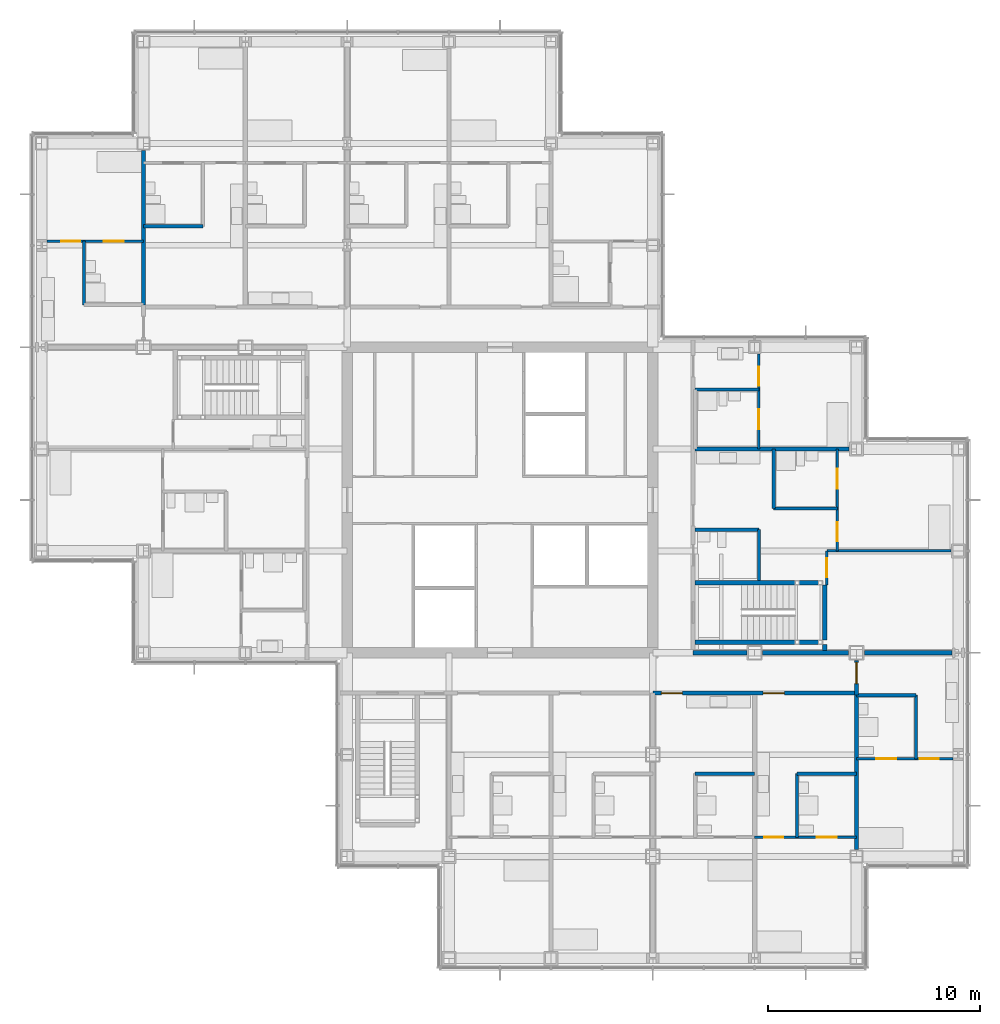
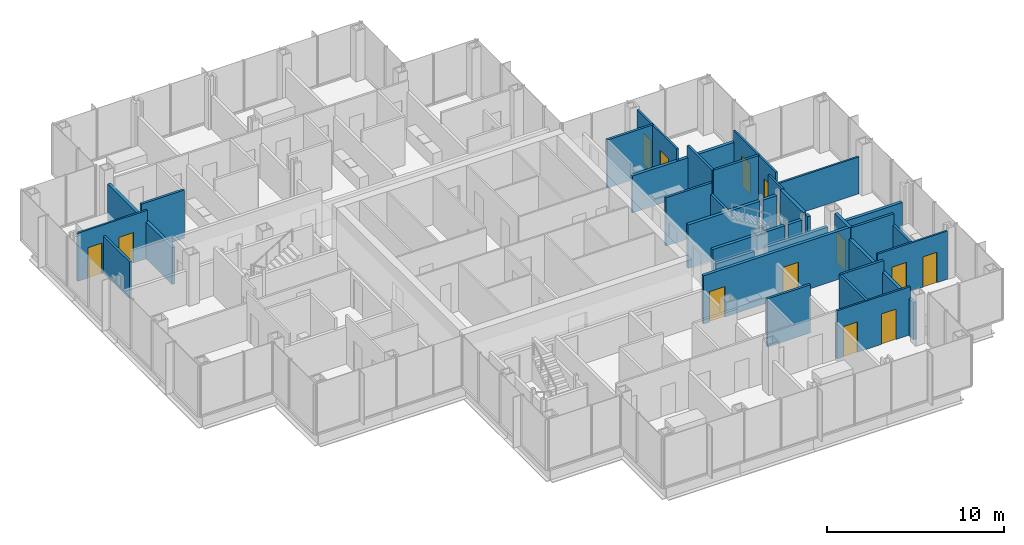
# One storey, part 16 of 20: 33 walls, 14 doors, 14 openings.
"""IFC4 building model written with IfcOpenShell, lengths in metres."""

from ifc_helpers import new_model, si_unit, direction, frame, frame_2d, origin, place, context, subcontext, project, spatial, rectangle, extrude, material, layer, layer_set, type_object, element, fill, save


model = new_model("IFC4")

# Units and contexts
model_context = context("Model", 3, precision=1e-05, world=origin(), true_north=direction((0.0, 1.0)))
body_context = subcontext(model_context, "Body", "Model", "MODEL_VIEW")
ifc_project = project(units=[si_unit("LENGTHUNIT", "METRE"), si_unit("AREAUNIT", "SQUARE_METRE"), si_unit("VOLUMEUNIT", "CUBIC_METRE"), si_unit("PLANEANGLEUNIT", "RADIAN"), si_unit("MASSUNIT", "GRAM", prefix="KILO")], contexts=[model_context])

# Site, building, storey
site_placement = place(None, origin())
site = spatial("IfcSite", under=ifc_project, at=site_placement, CompositionType="ELEMENT")
building_placement = place(site_placement, origin())
building = spatial("IfcBuilding", under=site, at=building_placement, Name="Kvirike Care Tower", CompositionType="ELEMENT")
storey_placement = place(building_placement, frame((0.0, 0.0, 91.0)))
storey = spatial("IfcBuildingStorey", under=building, at=storey_placement, Name="L24", CompositionType="ELEMENT", Elevation=91.0)

# Walls
ifc_material_1 = material(Name="Moisture-resistant board partition", Category="gypsum")
ifc_layer_1 = layer(ifc_material_1, 0.14990234375)
ifc_layer_set_1 = layer_set([ifc_layer_1], Name="BATHROOM WALL 150")
wall_type_1 = type_object("IfcWallType", Name="BATHROOM WALL 150", PredefinedType="PARTITIONING", material=ifc_layer_set_1)
wall_1_placement = place(storey_placement, frame((7.60009765625, 48.89990234375, 0.0), z_axis=(0.0, 0.0, 1.0), x_axis=(-1.0, 0.0, 0.0)))
element("IfcWall", 1, at=wall_1_placement, inside=storey, type_object=wall_type_1, Name="Bathroom Wall 150 L24", PredefinedType="PARTITIONING", context=body_context, shape_type="SweptSolid", body=[
    extrude(rectangle(XDim=2.800048828125, YDim=0.14990234375, at=frame_2d((1.39990234375, 0.0))), origin(), (0.0, 0.0, 1.0), 3.330078125),
])
wall_2_placement = place(storey_placement, frame((2.0, 48.199951171875, 0.0), z_axis=(0.0, 0.0, 1.0), x_axis=(0.0, -1.0, 0.0)))
element("IfcWall", 2, at=wall_2_placement, inside=storey, type_object=wall_type_1, Name="Bathroom Wall 150 L24", PredefinedType="PARTITIONING", context=body_context, shape_type="SweptSolid", body=[
    extrude(rectangle(XDim=3.0, YDim=0.14990234375, at=frame_2d((1.5, 0.0))), origin(), (0.0, 0.0, 1.0), 2.550048828125),
])
wall_3_placement = place(storey_placement, frame((30.800048828125, 23.10009765625, 0.0), z_axis=(0.0, 0.0, 1.0), x_axis=(1.0, 0.0, 0.0)))
element("IfcWall", 3, at=wall_3_placement, inside=storey, type_object=wall_type_1, Name="Bathroom Wall 150 L24", PredefinedType="PARTITIONING", context=body_context, shape_type="SweptSolid", body=[
    extrude(rectangle(XDim=2.800048828125, YDim=0.14990234375, at=frame_2d((1.39990234375, 0.0))), origin(), (0.0, 0.0, 1.0), 3.330078125),
])
wall_4_placement = place(storey_placement, frame((35.60009765625, 20.10009765625, 0.0), z_axis=(0.0, 0.0, 1.0), x_axis=(0.0, 1.0, 0.0)))
element("IfcWall", 4, at=wall_4_placement, inside=storey, type_object=wall_type_1, Name="Bathroom Wall 150 L24", PredefinedType="PARTITIONING", context=body_context, shape_type="SweptSolid", body=[
    extrude(rectangle(XDim=3.0, YDim=0.14990234375, at=frame_2d((1.5, 0.0))), origin(), (0.0, 0.0, 1.0), 3.330078125),
])
wall_5_placement = place(storey_placement, frame((35.60009765625, 23.10009765625, 0.0), z_axis=(0.0, 0.0, 1.0), x_axis=(1.0, 0.0, 0.0)))
element("IfcWall", 5, at=wall_5_placement, inside=storey, type_object=wall_type_1, Name="Bathroom Wall 150 L24", PredefinedType="PARTITIONING", context=body_context, shape_type="SweptSolid", body=[
    extrude(rectangle(XDim=2.7998046875, YDim=0.14990234375, at=frame_2d((1.39990234375, 0.0))), origin(), (0.0, 0.0, 1.0), 3.330078125),
])
wall_6_placement = place(storey_placement, frame((41.199951171875, 23.800048828125, 0.0), z_axis=(0.0, 0.0, 1.0), x_axis=(0.0, 1.0, 0.0)))
element("IfcWall", 6, at=wall_6_placement, inside=storey, type_object=wall_type_1, Name="Bathroom Wall 150 L24", PredefinedType="PARTITIONING", context=body_context, shape_type="SweptSolid", body=[
    extrude(rectangle(XDim=3.0, YDim=0.14990234375, at=frame_2d((1.5, 0.0))), origin(), (0.0, 0.0, 1.0), 2.550048828125),
])
wall_7_placement = place(storey_placement, frame((38.39990234375, 26.800048828125, 0.0), z_axis=(0.0, 0.0, 1.0), x_axis=(1.0, 0.0, 0.0)))
element("IfcWall", 7, at=wall_7_placement, inside=storey, type_object=wall_type_1, Name="Bathroom Wall 150 L24", PredefinedType="PARTITIONING", context=body_context, shape_type="SweptSolid", body=[
    extrude(rectangle(XDim=2.800048828125, YDim=0.14990234375, at=frame_2d((1.39990234375, 0.0))), origin(), (0.0, 0.0, 1.0), 3.330078125),
])
wall_8_placement = place(storey_placement, frame((33.800048828125, 32.199951171875, 0.0), z_axis=(0.0, 0.0, 1.0), x_axis=(0.0, 1.0, 0.0)))
element("IfcWall", 8, at=wall_8_placement, inside=storey, type_object=wall_type_1, Name="Bathroom Wall 150 L24", PredefinedType="PARTITIONING", context=body_context, shape_type="SweptSolid", body=[
    extrude(rectangle(XDim=2.400146484375, YDim=0.14990234375, at=frame_2d((1.2001953125, 0.0))), origin(), (0.0, 0.0, 1.0), 2.550048828125),
])
for number, where, z_axis, x_axis, name in (
    (9, (33.800048828125, 34.60009765625, 0.0), (0.0, 0.0, 1.0), (-1.0, 0.0, 0.0), "Bathroom Wall 150 L24"),
    (10, (37.5, 35.60009765625, 0.0), (0.0, 0.0, 1.0), (-1.0, 0.0, 0.0), "Bathroom Wall 150 L24"),
):
    element("IfcWall", number, at=place(storey_placement, frame(where, z_axis=z_axis, x_axis=x_axis)), inside=storey, type_object=wall_type_1, Name=name, PredefinedType="PARTITIONING", context=body_context, shape_type="SweptSolid", body=[
        extrude(rectangle(XDim=3.0, YDim=0.14990234375, at=frame_2d((1.5, 0.0))), origin(), (0.0, 0.0, 1.0), 3.330078125),
    ])
wall_9_placement = place(storey_placement, frame((34.5, 35.60009765625, 0.0), z_axis=(0.0, 0.0, 1.0), x_axis=(0.0, 1.0, 0.0)))
element("IfcWall", 11, at=wall_9_placement, inside=storey, type_object=wall_type_1, Name="Bathroom Wall 150 L24", PredefinedType="PARTITIONING", context=body_context, shape_type="SweptSolid", body=[
    extrude(rectangle(XDim=2.7998046875, YDim=0.14990234375, at=frame_2d((1.39990234375, 0.0))), origin(), (0.0, 0.0, 1.0), 3.330078125),
])
wall_10_placement = place(storey_placement, frame((33.800048828125, 41.199951171875, 0.0), z_axis=(0.0, 0.0, 1.0), x_axis=(-1.0, 0.0, 0.0)))
element("IfcWall", 12, at=wall_10_placement, inside=storey, type_object=wall_type_1, Name="Bathroom Wall 150 L24", PredefinedType="PARTITIONING", context=body_context, shape_type="SweptSolid", body=[
    extrude(rectangle(XDim=3.0, YDim=0.14990234375, at=frame_2d((1.5, 0.0))), origin(), (0.0, 0.0, 1.0), 3.330078125),
])

# Wall, openings, doors
ifc_material_2 = material(Name="Plasterboard corridor wall", Category="gypsum")
ifc_layer_2 = layer(ifc_material_2, 0.199951171875)
ifc_layer_set_2 = layer_set([ifc_layer_2], Name="CORRIDOR WALL 200")
wall_type_2 = type_object("IfcWallType", Name="CORRIDOR WALL 200", PredefinedType="PARTITIONING", material=ifc_layer_set_2)
wall_11_placement = place(storey_placement, frame((28.800048828125, 26.89990234375, 0.0), z_axis=(0.0, 0.0, 1.0), x_axis=(1.0, 0.0, 0.0)))
wall_11 = element("IfcWall", 13, at=wall_11_placement, inside=storey, type_object=wall_type_2, Name="Corridor Wall 200 L24", PredefinedType="PARTITIONING", context=body_context, shape_type="SweptSolid", body=[
    extrude(rectangle(XDim=9.599853515625, YDim=0.199951171875, at=frame_2d((4.7998046875, 0.0))), origin(), (0.0, 0.0, 1.0), 3.330078125),
])
opening_1_placement = place(wall_11_placement, frame((0.39990234375, 0.0, 0.0)))
opening_1 = element("IfcOpeningElement", 14, at=opening_1_placement, cuts=wall_11, Name="Opening 24-042", PredefinedType="OPENING", context=body_context, shape_type="SweptSolid", body=[
    extrude(rectangle(XDim=1.0, YDim=2.10009765625, at=frame_2d((0.5, 1.050048828125))), frame((0.0, 0.110595703125, 0.0), z_axis=(0.0, -1.0, 0.0), x_axis=(1.0, 0.0, 0.0)), (0.0, 0.0, 1.0), 0.220947265625),
])
opening_2_placement = place(wall_11_placement, frame((5.199951171875, 0.0, 0.0)))
opening_2 = element("IfcOpeningElement", 15, at=opening_2_placement, cuts=wall_11, Name="Opening 24-043", PredefinedType="OPENING", context=body_context, shape_type="SweptSolid", body=[
    extrude(rectangle(XDim=1.0, YDim=2.10009765625, at=frame_2d((0.5, 1.050048828125))), frame((0.0, 0.110595703125, 0.0), z_axis=(0.0, -1.0, 0.0), x_axis=(1.0, 0.0, 0.0)), (0.0, 0.0, 1.0), 0.220947265625),
])
ifc_material_3 = material(Name="Timber door set", Category="wood")
door_type_1 = type_object("IfcDoorType", Name="FLAT ENTRANCE DOOR 1000", OperationType="SINGLE_SWING_LEFT", PredefinedType="DOOR", material=ifc_material_3)
door_1_placement = place(opening_1_placement, frame((1.0, 0.0, 0.0), z_axis=(0.0, 0.0, 1.0), x_axis=(-1.0, 0.0, 0.0)))
door_1 = element("IfcDoor", 16, at=door_1_placement, inside=storey, type_object=door_type_1, Name="Assisted living suite entrance", OperationType="SINGLE_SWING_RIGHT", OverallHeight=2.10009765625, OverallWidth=1.0, PredefinedType="DOOR", context=body_context, shape_type="SweptSolid", body=[
    extrude(rectangle(XDim=1.0, YDim=2.10009765625, at=frame_2d((0.5, 1.050048828125))), frame((0.0, 0.02685546875, 0.0), z_axis=(0.0, -1.0, 0.0), x_axis=(1.0, 0.0, 0.0)), (0.0, 0.0, 1.0), 0.053955078125),
])
fill(opening_1, door_1)
door_2_placement = place(opening_2_placement, frame((1.0, 0.0, 0.0), z_axis=(0.0, 0.0, 1.0), x_axis=(-1.0, 0.0, 0.0)))
door_2 = element("IfcDoor", 17, at=door_2_placement, inside=storey, type_object=door_type_1, Name="Assisted living suite entrance", OperationType="SINGLE_SWING_LEFT", OverallHeight=2.10009765625, OverallWidth=1.0, PredefinedType="DOOR", context=body_context, shape_type="SweptSolid", body=[
    extrude(rectangle(XDim=1.0, YDim=2.10009765625, at=frame_2d((0.5, 1.050048828125))), frame((0.0, 0.02685546875, 0.0), z_axis=(0.0, -1.0, 0.0), x_axis=(1.0, 0.0, 0.0)), (0.0, 0.0, 1.0), 0.053955078125),
])
fill(opening_2, door_2)

# Wall, opening, door
wall_12_placement = place(storey_placement, frame((38.39990234375, 26.800048828125, 0.0), z_axis=(0.0, 0.0, 1.0), x_axis=(0.0, 1.0, 0.0)))
wall_12 = element("IfcWall", 18, at=wall_12_placement, inside=storey, type_object=wall_type_2, Name="Corridor Wall 200 L24", PredefinedType="PARTITIONING", context=body_context, shape_type="SweptSolid", body=[
    extrude(rectangle(XDim=1.6298828125, YDim=0.199951171875, at=frame_2d((0.81494140625, 0.0))), origin(), (0.0, 0.0, 1.0), 3.330078125),
])
opening_3_placement = place(wall_12_placement, frame((0.550048828125, 0.0, 0.0)))
opening_3 = element("IfcOpeningElement", 19, at=opening_3_placement, cuts=wall_12, Name="Opening 24-044", PredefinedType="OPENING", context=body_context, shape_type="SweptSolid", body=[
    extrude(rectangle(XDim=1.0, YDim=2.10009765625, at=frame_2d((0.5, 1.050048828125))), frame((0.0, 0.110595703125, 0.0), z_axis=(0.0, -1.0, 0.0), x_axis=(1.0, 0.0, 0.0)), (0.0, 0.0, 1.0), 0.220947265625),
])
door_3_placement = place(opening_3_placement, frame((1.0, 0.0, 0.0), z_axis=(0.0, 0.0, 1.0), x_axis=(-1.0, 0.0, 0.0)))
door_3 = element("IfcDoor", 20, at=door_3_placement, inside=storey, type_object=door_type_1, Name="Assisted living suite entrance", OperationType="SINGLE_SWING_RIGHT", OverallHeight=2.10009765625, OverallWidth=1.0, PredefinedType="DOOR", context=body_context, shape_type="SweptSolid", body=[
    extrude(rectangle(XDim=1.0, YDim=2.10009765625, at=frame_2d((0.5, 1.050048828125))), frame((0.0, 0.02685546875, 0.0), z_axis=(0.0, -1.0, 0.0), x_axis=(1.0, 0.0, 0.0)), (0.0, 0.0, 1.0), 0.053955078125),
])
fill(opening_3, door_3)

# Wall, openings, doors
ifc_material_4 = material(Name="Plasterboard partition", Category="gypsum")
ifc_layer_3 = layer(ifc_material_4, 0.1201171875)
ifc_layer_set_3 = layer_set([ifc_layer_3], Name="PARTITION 120")
wall_type_3 = type_object("IfcWallType", Name="PARTITION 120", PredefinedType="PARTITIONING", material=ifc_layer_set_3)
wall_13_placement = place(storey_placement, frame((4.800048828125, 48.199951171875, 0.0), z_axis=(0.0, 0.0, 1.0), x_axis=(-1.0, 0.0, 0.0)))
wall_13 = element("IfcWall", 21, at=wall_13_placement, inside=storey, type_object=wall_type_3, Name="Partition 120 L24", PredefinedType="PARTITIONING", context=body_context, shape_type="SweptSolid", body=[
    extrude(rectangle(XDim=4.552978515625, YDim=0.1201171875, at=frame_2d((2.2763671875, 0.0))), origin(), (0.0, 0.0, 1.0), 3.330078125),
])
opening_4_placement = place(wall_13_placement, frame((2.97509765625, 0.0, 0.0)))
opening_4 = element("IfcOpeningElement", 22, at=opening_4_placement, cuts=wall_13, Name="Opening 24-014", PredefinedType="OPENING", context=body_context, shape_type="SweptSolid", body=[
    extrude(rectangle(XDim=0.89990234375, YDim=2.10009765625, at=frame_2d((0.449951171875, 1.050048828125))), frame((0.0, 0.070556640625, 0.0), z_axis=(0.0, -1.0, 0.0), x_axis=(1.0, 0.0, 0.0)), (0.0, 0.0, 1.0), 0.14111328125),
])
opening_5_placement = place(wall_13_placement, frame((0.925048828125, 0.0, 0.0)))
opening_5 = element("IfcOpeningElement", 23, at=opening_5_placement, cuts=wall_13, Name="Opening 24-015", PredefinedType="OPENING", context=body_context, shape_type="SweptSolid", body=[
    extrude(rectangle(XDim=0.949951171875, YDim=2.10009765625, at=frame_2d((0.47509765625, 1.050048828125))), frame((0.0, 0.070556640625, 0.0), z_axis=(0.0, -1.0, 0.0), x_axis=(1.0, 0.0, 0.0)), (0.0, 0.0, 1.0), 0.14111328125),
])
ifc_material_5 = material(Name="Timber door set", Category="wood")
door_type_2 = type_object("IfcDoorType", Name="EN-SUITE SLIDING DOOR 950", OperationType="SLIDING_TO_LEFT", PredefinedType="DOOR", material=ifc_material_5)
door_4_placement = place(opening_5_placement, origin())
door_4 = element("IfcDoor", 24, at=door_4_placement, inside=storey, type_object=door_type_2, Name="En-suite door", OperationType="SLIDING_TO_LEFT", OverallHeight=2.10009765625, OverallWidth=0.949951171875, PredefinedType="DOOR", context=body_context, shape_type="SweptSolid", body=[
    extrude(rectangle(XDim=0.949951171875, YDim=2.10009765625, at=frame_2d((0.47509765625, 1.050048828125))), frame((0.0, 0.02197265625, 0.0), z_axis=(0.0, -1.0, 0.0), x_axis=(1.0, 0.0, 0.0)), (0.0, 0.0, 1.0), 0.0439453125),
])
fill(opening_5, door_4)
ifc_material_6 = material(Name="Timber door set", Category="wood")
door_type_3 = type_object("IfcDoorType", Name="INTERNAL DOOR 900", OperationType="SINGLE_SWING_LEFT", PredefinedType="DOOR", material=ifc_material_6)
door_5_placement = place(opening_4_placement, origin())
door_5 = element("IfcDoor", 25, at=door_5_placement, inside=storey, type_object=door_type_3, Name="Assisted living suite door", OperationType="SINGLE_SWING_RIGHT", OverallHeight=2.10009765625, OverallWidth=0.89990234375, PredefinedType="DOOR", context=body_context, shape_type="SweptSolid", body=[
    extrude(rectangle(XDim=0.89990234375, YDim=2.10009765625, at=frame_2d((0.449951171875, 1.050048828125))), frame((0.0, 0.02197265625, 0.0), z_axis=(0.0, -1.0, 0.0), x_axis=(1.0, 0.0, 0.0)), (0.0, 0.0, 1.0), 0.0439453125),
])
fill(opening_4, door_5)

wall_14_placement = place(storey_placement, frame((33.60009765625, 20.10009765625, 0.0), z_axis=(0.0, 0.0, 1.0), x_axis=(1.0, 0.0, 0.0)))
wall_14 = element("IfcWall", 26, at=wall_14_placement, inside=storey, type_object=wall_type_3, Name="Partition 120 L24", PredefinedType="PARTITIONING", context=body_context, shape_type="SweptSolid", body=[
    extrude(rectangle(XDim=4.7998046875, YDim=0.1201171875, at=frame_2d((2.39990234375, 0.0))), origin(), (0.0, 0.0, 1.0), 3.330078125),
])
opening_6_placement = place(wall_14_placement, frame((0.449951171875, 0.0, 0.0)))
opening_6 = element("IfcOpeningElement", 27, at=opening_6_placement, cuts=wall_14, Name="Opening 24-038", PredefinedType="OPENING", context=body_context, shape_type="SweptSolid", body=[
    extrude(rectangle(XDim=0.89990234375, YDim=2.10009765625, at=frame_2d((0.449951171875, 1.050048828125))), frame((0.0, 0.070556640625, 0.0), z_axis=(0.0, -1.0, 0.0), x_axis=(1.0, 0.0, 0.0)), (0.0, 0.0, 1.0), 0.14111328125),
])
opening_7_placement = place(wall_14_placement, frame((2.925048828125, 0.0, 0.0)))
opening_7 = element("IfcOpeningElement", 28, at=opening_7_placement, cuts=wall_14, Name="Opening 24-039", PredefinedType="OPENING", context=body_context, shape_type="SweptSolid", body=[
    extrude(rectangle(XDim=0.949951171875, YDim=2.10009765625, at=frame_2d((0.47509765625, 1.050048828125))), frame((0.0, 0.070556640625, 0.0), z_axis=(0.0, -1.0, 0.0), x_axis=(1.0, 0.0, 0.0)), (0.0, 0.0, 1.0), 0.14111328125),
])
door_6_placement = place(opening_7_placement, origin())
door_6 = element("IfcDoor", 29, at=door_6_placement, inside=storey, type_object=door_type_2, Name="En-suite door", OperationType="SLIDING_TO_LEFT", OverallHeight=2.10009765625, OverallWidth=0.949951171875, PredefinedType="DOOR", context=body_context, shape_type="SweptSolid", body=[
    extrude(rectangle(XDim=0.949951171875, YDim=2.10009765625, at=frame_2d((0.47509765625, 1.050048828125))), frame((0.0, 0.02197265625, 0.0), z_axis=(0.0, -1.0, 0.0), x_axis=(1.0, 0.0, 0.0)), (0.0, 0.0, 1.0), 0.0439453125),
])
fill(opening_7, door_6)
door_7_placement = place(opening_6_placement, origin())
door_7 = element("IfcDoor", 30, at=door_7_placement, inside=storey, type_object=door_type_3, Name="Assisted living suite door", OperationType="SINGLE_SWING_RIGHT", OverallHeight=2.10009765625, OverallWidth=0.89990234375, PredefinedType="DOOR", context=body_context, shape_type="SweptSolid", body=[
    extrude(rectangle(XDim=0.89990234375, YDim=2.10009765625, at=frame_2d((0.449951171875, 1.050048828125))), frame((0.0, 0.02197265625, 0.0), z_axis=(0.0, -1.0, 0.0), x_axis=(1.0, 0.0, 0.0)), (0.0, 0.0, 1.0), 0.0439453125),
])
fill(opening_6, door_7)

wall_15_placement = place(storey_placement, frame((38.39990234375, 23.800048828125, 0.0), z_axis=(0.0, 0.0, 1.0), x_axis=(1.0, 0.0, 0.0)))
wall_15 = element("IfcWall", 31, at=wall_15_placement, inside=storey, type_object=wall_type_3, Name="Partition 120 L24", PredefinedType="PARTITIONING", context=body_context, shape_type="SweptSolid", body=[
    extrude(rectangle(XDim=4.552978515625, YDim=0.1201171875, at=frame_2d((2.2763671875, 0.0))), origin(), (0.0, 0.0, 1.0), 3.330078125),
])
opening_8_placement = place(wall_15_placement, frame((2.97509765625, 0.0, 0.0)))
opening_8 = element("IfcOpeningElement", 32, at=opening_8_placement, cuts=wall_15, Name="Opening 24-040", PredefinedType="OPENING", context=body_context, shape_type="SweptSolid", body=[
    extrude(rectangle(XDim=0.89990234375, YDim=2.10009765625, at=frame_2d((0.449951171875, 1.050048828125))), frame((0.0, 0.070556640625, 0.0), z_axis=(0.0, -1.0, 0.0), x_axis=(1.0, 0.0, 0.0)), (0.0, 0.0, 1.0), 0.14111328125),
])
opening_9_placement = place(wall_15_placement, frame((0.925048828125, 0.0, 0.0)))
opening_9 = element("IfcOpeningElement", 33, at=opening_9_placement, cuts=wall_15, Name="Opening 24-041", PredefinedType="OPENING", context=body_context, shape_type="SweptSolid", body=[
    extrude(rectangle(XDim=0.949951171875, YDim=2.10009765625, at=frame_2d((0.47509765625, 1.050048828125))), frame((0.0, 0.070556640625, 0.0), z_axis=(0.0, -1.0, 0.0), x_axis=(1.0, 0.0, 0.0)), (0.0, 0.0, 1.0), 0.14111328125),
])
door_8_placement = place(opening_9_placement, origin())
door_8 = element("IfcDoor", 34, at=door_8_placement, inside=storey, type_object=door_type_2, Name="En-suite door", OperationType="SLIDING_TO_LEFT", OverallHeight=2.10009765625, OverallWidth=0.949951171875, PredefinedType="DOOR", context=body_context, shape_type="SweptSolid", body=[
    extrude(rectangle(XDim=0.949951171875, YDim=2.10009765625, at=frame_2d((0.47509765625, 1.050048828125))), frame((0.0, 0.02197265625, 0.0), z_axis=(0.0, -1.0, 0.0), x_axis=(1.0, 0.0, 0.0)), (0.0, 0.0, 1.0), 0.0439453125),
])
fill(opening_9, door_8)
door_9_placement = place(opening_8_placement, origin())
door_9 = element("IfcDoor", 35, at=door_9_placement, inside=storey, type_object=door_type_3, Name="Assisted living suite door", OperationType="SINGLE_SWING_RIGHT", OverallHeight=2.10009765625, OverallWidth=0.89990234375, PredefinedType="DOOR", context=body_context, shape_type="SweptSolid", body=[
    extrude(rectangle(XDim=0.89990234375, YDim=2.10009765625, at=frame_2d((0.449951171875, 1.050048828125))), frame((0.0, 0.02197265625, 0.0), z_axis=(0.0, -1.0, 0.0), x_axis=(1.0, 0.0, 0.0)), (0.0, 0.0, 1.0), 0.0439453125),
])
fill(opening_8, door_9)

# Wall, opening, door
wall_16_placement = place(storey_placement, frame((37.0, 32.0, 0.0), z_axis=(0.0, 0.0, 1.0), x_axis=(0.0, 1.0, 0.0)))
wall_16 = element("IfcWall", 36, at=wall_16_placement, inside=storey, type_object=wall_type_3, Name="Partition 120 L24", PredefinedType="PARTITIONING", context=body_context, shape_type="SweptSolid", body=[
    extrude(rectangle(XDim=1.60009765625, YDim=0.1201171875, at=frame_2d((0.800048828125, 0.0))), origin(), (0.0, 0.0, 1.0), 3.330078125),
])
opening_10_placement = place(wall_16_placement, frame((0.35009765625, 0.0, 0.0)))
opening_10 = element("IfcOpeningElement", 37, at=opening_10_placement, cuts=wall_16, Name="Opening 24-045", PredefinedType="OPENING", context=body_context, shape_type="SweptSolid", body=[
    extrude(rectangle(XDim=0.89990234375, YDim=2.10009765625, at=frame_2d((0.449951171875, 1.050048828125))), frame((0.0, 0.070556640625, 0.0), z_axis=(0.0, -1.0, 0.0), x_axis=(1.0, 0.0, 0.0)), (0.0, 0.0, 1.0), 0.14111328125),
])
door_10_placement = place(opening_10_placement, origin())
door_10 = element("IfcDoor", 38, at=door_10_placement, inside=storey, type_object=door_type_3, Name="Suite sitting room door", OperationType="SINGLE_SWING_RIGHT", OverallHeight=2.10009765625, OverallWidth=0.89990234375, PredefinedType="DOOR", context=body_context, shape_type="SweptSolid", body=[
    extrude(rectangle(XDim=0.89990234375, YDim=2.10009765625, at=frame_2d((0.449951171875, 1.050048828125))), frame((0.0, 0.02197265625, 0.0), z_axis=(0.0, -1.0, 0.0), x_axis=(1.0, 0.0, 0.0)), (0.0, 0.0, 1.0), 0.0439453125),
])
fill(opening_10, door_10)

# Wall, openings, doors
wall_17_placement = place(storey_placement, frame((37.5, 33.60009765625, 0.0), z_axis=(0.0, 0.0, 1.0), x_axis=(0.0, 1.0, 0.0)))
wall_17 = element("IfcWall", 39, at=wall_17_placement, inside=storey, type_object=wall_type_3, Name="Partition 120 L24", PredefinedType="PARTITIONING", context=body_context, shape_type="SweptSolid", body=[
    extrude(rectangle(XDim=4.7998046875, YDim=0.1201171875, at=frame_2d((2.39990234375, 0.0))), origin(), (0.0, 0.0, 1.0), 3.330078125),
])
opening_11_placement = place(wall_17_placement, frame((0.449951171875, 0.0, 0.0)))
opening_11 = element("IfcOpeningElement", 40, at=opening_11_placement, cuts=wall_17, Name="Opening 24-046", PredefinedType="OPENING", context=body_context, shape_type="SweptSolid", body=[
    extrude(rectangle(XDim=0.89990234375, YDim=2.10009765625, at=frame_2d((0.449951171875, 1.050048828125))), frame((0.0, 0.070556640625, 0.0), z_axis=(0.0, -1.0, 0.0), x_axis=(1.0, 0.0, 0.0)), (0.0, 0.0, 1.0), 0.14111328125),
])
opening_12_placement = place(wall_17_placement, frame((2.925048828125, 0.0, 0.0)))
opening_12 = element("IfcOpeningElement", 41, at=opening_12_placement, cuts=wall_17, Name="Opening 24-047", PredefinedType="OPENING", context=body_context, shape_type="SweptSolid", body=[
    extrude(rectangle(XDim=0.949951171875, YDim=2.10009765625, at=frame_2d((0.47509765625, 1.050048828125))), frame((0.0, 0.070556640625, 0.0), z_axis=(0.0, -1.0, 0.0), x_axis=(1.0, 0.0, 0.0)), (0.0, 0.0, 1.0), 0.14111328125),
])
door_11_placement = place(opening_12_placement, origin())
door_11 = element("IfcDoor", 42, at=door_11_placement, inside=storey, type_object=door_type_2, Name="En-suite door", OperationType="SLIDING_TO_RIGHT", OverallHeight=2.10009765625, OverallWidth=0.949951171875, PredefinedType="DOOR", context=body_context, shape_type="SweptSolid", body=[
    extrude(rectangle(XDim=0.949951171875, YDim=2.10009765625, at=frame_2d((0.47509765625, 1.050048828125))), frame((0.0, 0.02197265625, 0.0), z_axis=(0.0, -1.0, 0.0), x_axis=(1.0, 0.0, 0.0)), (0.0, 0.0, 1.0), 0.0439453125),
])
fill(opening_12, door_11)
door_12_placement = place(opening_11_placement, origin())
door_12 = element("IfcDoor", 43, at=door_12_placement, inside=storey, type_object=door_type_3, Name="Assisted living suite door", OperationType="SINGLE_SWING_LEFT", OverallHeight=2.10009765625, OverallWidth=0.89990234375, PredefinedType="DOOR", context=body_context, shape_type="SweptSolid", body=[
    extrude(rectangle(XDim=0.89990234375, YDim=2.10009765625, at=frame_2d((0.449951171875, 1.050048828125))), frame((0.0, 0.02197265625, 0.0), z_axis=(0.0, -1.0, 0.0), x_axis=(1.0, 0.0, 0.0)), (0.0, 0.0, 1.0), 0.0439453125),
])
fill(opening_11, door_12)

# Wall
wall_18_placement = place(storey_placement, frame((42.85498046875, 33.60009765625, 0.0), z_axis=(0.0, 0.0, 1.0), x_axis=(-1.0, 0.0, 0.0)))
element("IfcWall", 44, at=wall_18_placement, inside=storey, type_object=wall_type_3, Name="Partition 120 L24", PredefinedType="PARTITIONING", context=body_context, shape_type="SweptSolid", body=[
    extrude(rectangle(XDim=5.85498046875, YDim=0.1201171875, at=frame_2d((2.927490234375, 0.0))), origin(), (0.0, 0.0, 1.0), 2.550048828125),
])

# Wall, openings, doors
wall_19_placement = place(storey_placement, frame((33.800048828125, 38.39990234375, 0.0), z_axis=(0.0, 0.0, 1.0), x_axis=(0.0, 1.0, 0.0)))
wall_19 = element("IfcWall", 45, at=wall_19_placement, inside=storey, type_object=wall_type_3, Name="Partition 120 L24", PredefinedType="PARTITIONING", context=body_context, shape_type="SweptSolid", body=[
    extrude(rectangle(XDim=4.47998046875, YDim=0.1201171875, at=frame_2d((2.239990234375, 0.0))), origin(), (0.0, 0.0, 1.0), 3.330078125),
])
opening_13_placement = place(wall_19_placement, frame((2.97509765625, 0.0, 0.0)))
opening_13 = element("IfcOpeningElement", 46, at=opening_13_placement, cuts=wall_19, Name="Opening 24-048", PredefinedType="OPENING", context=body_context, shape_type="SweptSolid", body=[
    extrude(rectangle(XDim=0.89990234375, YDim=2.10009765625, at=frame_2d((0.449951171875, 1.050048828125))), frame((0.0, 0.070556640625, 0.0), z_axis=(0.0, -1.0, 0.0), x_axis=(1.0, 0.0, 0.0)), (0.0, 0.0, 1.0), 0.14111328125),
])
opening_14_placement = place(wall_19_placement, frame((0.925048828125, 0.0, 0.0)))
opening_14 = element("IfcOpeningElement", 47, at=opening_14_placement, cuts=wall_19, Name="Opening 24-049", PredefinedType="OPENING", context=body_context, shape_type="SweptSolid", body=[
    extrude(rectangle(XDim=0.949951171875, YDim=2.10009765625, at=frame_2d((0.47509765625, 1.050048828125))), frame((0.0, 0.070556640625, 0.0), z_axis=(0.0, -1.0, 0.0), x_axis=(1.0, 0.0, 0.0)), (0.0, 0.0, 1.0), 0.14111328125),
])
door_13_placement = place(opening_14_placement, origin())
door_13 = element("IfcDoor", 48, at=door_13_placement, inside=storey, type_object=door_type_2, Name="En-suite door", OperationType="SLIDING_TO_LEFT", OverallHeight=2.10009765625, OverallWidth=0.949951171875, PredefinedType="DOOR", context=body_context, shape_type="SweptSolid", body=[
    extrude(rectangle(XDim=0.949951171875, YDim=2.10009765625, at=frame_2d((0.47509765625, 1.050048828125))), frame((0.0, 0.02197265625, 0.0), z_axis=(0.0, -1.0, 0.0), x_axis=(1.0, 0.0, 0.0)), (0.0, 0.0, 1.0), 0.0439453125),
])
fill(opening_14, door_13)
door_14_placement = place(opening_13_placement, origin())
door_14 = element("IfcDoor", 49, at=door_14_placement, inside=storey, type_object=door_type_3, Name="Assisted living suite door", OperationType="SINGLE_SWING_RIGHT", OverallHeight=2.10009765625, OverallWidth=0.89990234375, PredefinedType="DOOR", context=body_context, shape_type="SweptSolid", body=[
    extrude(rectangle(XDim=0.89990234375, YDim=2.10009765625, at=frame_2d((0.449951171875, 1.050048828125))), frame((0.0, 0.02197265625, 0.0), z_axis=(0.0, -1.0, 0.0), x_axis=(1.0, 0.0, 0.0)), (0.0, 0.0, 1.0), 0.0439453125),
])
fill(opening_13, door_14)

# Walls
ifc_material_7 = material(Name="Plasterboard party wall", Category="gypsum")
ifc_layer_4 = layer(ifc_material_7, 0.199951171875)
ifc_layer_set_4 = layer_set([ifc_layer_4], Name="PARTY WALL 200")
wall_type_4 = type_object("IfcWallType", Name="PARTY WALL 200", PredefinedType="PARTITIONING", material=ifc_layer_set_4)
for number, where, z_axis, x_axis, name in (
    (50, (4.800048828125, 52.47998046875, 0.0), (0.0, 0.0, 1.0), (0.0, -1.0, 0.0), "Party Wall 200 L24"),
    (51, (38.39990234375, 19.52001953125, 0.0), (0.0, 0.0, 1.0), (0.0, 1.0, 0.0), "Party Wall 200 L24"),
):
    element("IfcWall", number, at=place(storey_placement, frame(where, z_axis=z_axis, x_axis=x_axis)), inside=storey, type_object=wall_type_4, Name=name, PredefinedType="PARTITIONING", context=body_context, shape_type="SweptSolid", body=[
        extrude(rectangle(XDim=7.280029296875, YDim=0.199951171875, at=frame_2d((3.64013671875, 0.0))), origin(), (0.0, 0.0, 1.0), 2.550048828125),
    ])
wall_20_placement = place(storey_placement, frame((38.054931640625, 38.39990234375, 0.0), z_axis=(0.0, 0.0, 1.0), x_axis=(-1.0, 0.0, 0.0)))
element("IfcWall", 52, at=wall_20_placement, inside=storey, type_object=wall_type_4, Name="Party Wall 200 L24", PredefinedType="PARTITIONING", context=body_context, shape_type="SweptSolid", body=[
    extrude(rectangle(XDim=7.2548828125, YDim=0.199951171875, at=frame_2d((3.62744140625, 0.0))), origin(), (0.0, 0.0, 1.0), 2.550048828125),
])
wall_21_placement = place(storey_placement, frame((42.8955078125, 28.800048828125, 0.0), z_axis=(0.0, 0.0, 1.0), x_axis=(-1.0, 0.0, 0.0)))
element("IfcWall", 53, at=wall_21_placement, inside=storey, type_object=wall_type_4, Name="Party Wall 200 L24", PredefinedType="PARTITIONING", context=body_context, shape_type="SweptSolid", body=[
    extrude(rectangle(XDim=4.12548828125, YDim=0.199951171875, at=frame_2d((2.062744140625, 0.0))), origin(), (0.0, 0.0, 1.0), 2.320068359375),
])
wall_22_placement = place(storey_placement, frame((38.030029296875, 28.800048828125, 0.0), z_axis=(0.0, 0.0, 1.0), x_axis=(-1.0, 0.0, 0.0)))
element("IfcWall", 54, at=wall_22_placement, inside=storey, type_object=wall_type_4, Name="Party Wall 200 L24", PredefinedType="PARTITIONING", context=body_context, shape_type="SweptSolid", body=[
    extrude(rectangle(XDim=4.06005859375, YDim=0.199951171875, at=frame_2d((2.030029296875, 0.0))), origin(), (0.0, 0.0, 1.0), 2.320068359375),
])
wall_23_placement = place(storey_placement, frame((33.22998046875, 28.800048828125, 0.0), z_axis=(0.0, 0.0, 1.0), x_axis=(-1.0, 0.0, 0.0)))
element("IfcWall", 55, at=wall_23_placement, inside=storey, type_object=wall_type_4, Name="Party Wall 200 L24", PredefinedType="PARTITIONING", context=body_context, shape_type="SweptSolid", body=[
    extrude(rectangle(XDim=2.530029296875, YDim=0.199951171875, at=frame_2d((1.26513671875, 0.0))), origin(), (0.0, 0.0, 1.0), 2.320068359375),
])
ifc_material_8 = material(Name="Concrete C40/50", Category="concrete")
ifc_layer_5 = layer(ifc_material_8, 0.199951171875)
ifc_layer_set_5 = layer_set([ifc_layer_5], Name="STAIR WALL 200")
wall_type_5 = type_object("IfcWallType", Name="STAIR WALL 200", PredefinedType="SOLIDWALL", material=ifc_layer_set_5)
wall_24_placement = place(storey_placement, frame((36.60009765625, 29.300048828125, 0.0), z_axis=(0.0, 0.0, 1.0), x_axis=(-1.0, 0.0, 0.0)))
element("IfcWall", 56, at=wall_24_placement, inside=storey, type_object=wall_type_5, Name="Stair Wall 200 L24", PredefinedType="SOLIDWALL", context=body_context, shape_type="SweptSolid", body=[
    extrude(rectangle(XDim=0.900146484375, YDim=0.199951171875, at=frame_2d((0.4501953125, 0.0))), origin(), (0.0, 0.0, 1.0), 2.989990234375),
])
wall_25_placement = place(storey_placement, frame((35.5, 29.300048828125, 0.0), z_axis=(0.0, 0.0, 1.0), x_axis=(-1.0, 0.0, 0.0)))
element("IfcWall", 57, at=wall_25_placement, inside=storey, type_object=wall_type_5, Name="Stair Wall 200 L24", PredefinedType="SOLIDWALL", context=body_context, shape_type="SweptSolid", body=[
    extrude(rectangle(XDim=4.699951171875, YDim=0.199951171875, at=frame_2d((2.35009765625, 0.0))), origin(), (0.0, 0.0, 1.0), 2.989990234375),
])
wall_26_placement = place(storey_placement, frame((36.60009765625, 32.10009765625, 0.0), z_axis=(0.0, 0.0, 1.0), x_axis=(-1.0, 0.0, 0.0)))
element("IfcWall", 58, at=wall_26_placement, inside=storey, type_object=wall_type_5, Name="Stair Wall 200 L24", PredefinedType="SOLIDWALL", context=body_context, shape_type="SweptSolid", body=[
    extrude(rectangle(XDim=0.900146484375, YDim=0.199951171875, at=frame_2d((0.4501953125, 0.0))), origin(), (0.0, 0.0, 1.0), 2.989990234375),
])
wall_27_placement = place(storey_placement, frame((35.5, 32.10009765625, 0.0), z_axis=(0.0, 0.0, 1.0), x_axis=(-1.0, 0.0, 0.0)))
element("IfcWall", 59, at=wall_27_placement, inside=storey, type_object=wall_type_5, Name="Stair Wall 200 L24", PredefinedType="SOLIDWALL", context=body_context, shape_type="SweptSolid", body=[
    extrude(rectangle(XDim=4.699951171875, YDim=0.199951171875, at=frame_2d((2.35009765625, 0.0))), origin(), (0.0, 0.0, 1.0), 2.989990234375),
])
wall_28_placement = place(storey_placement, frame((36.89990234375, 28.89990234375, 0.0), z_axis=(0.0, 0.0, 1.0), x_axis=(0.0, 1.0, 0.0)))
element("IfcWall", 60, at=wall_28_placement, inside=storey, type_object=wall_type_5, Name="Stair Wall 200 L24", PredefinedType="SOLIDWALL", context=body_context, shape_type="SweptSolid", body=[
    extrude(rectangle(XDim=0.300048828125, YDim=0.199951171875, at=frame_2d((0.14990234375, 0.0))), origin(), (0.0, 0.0, 1.0), 3.330078125),
])
wall_29_placement = place(storey_placement, frame((36.89990234375, 29.39990234375, 0.0), z_axis=(0.0, 0.0, 1.0), x_axis=(0.0, 1.0, 0.0)))
element("IfcWall", 61, at=wall_29_placement, inside=storey, type_object=wall_type_5, Name="Stair Wall 200 L24", PredefinedType="SOLIDWALL", context=body_context, shape_type="SweptSolid", body=[
    extrude(rectangle(XDim=2.60009765625, YDim=0.199951171875, at=frame_2d((1.300048828125, 0.0))), origin(), (0.0, 0.0, 1.0), 3.330078125),
])

save(model, "model.ifc")
